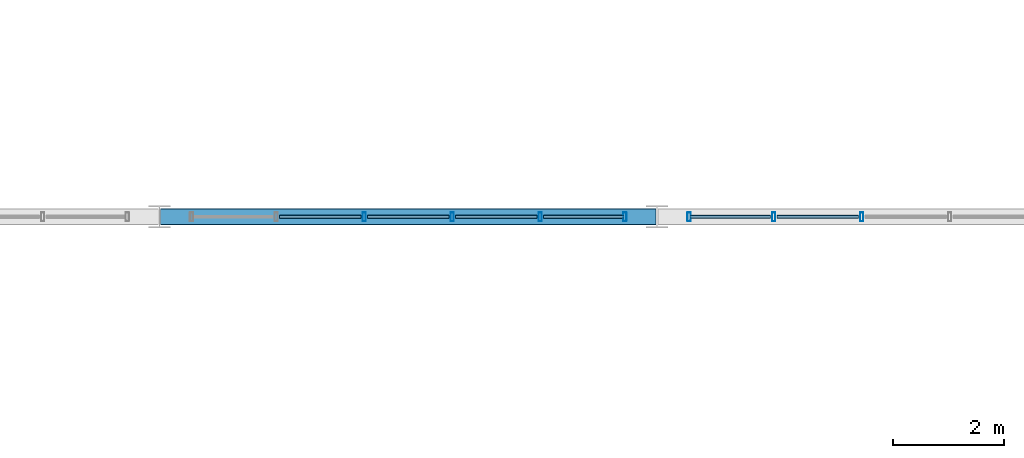
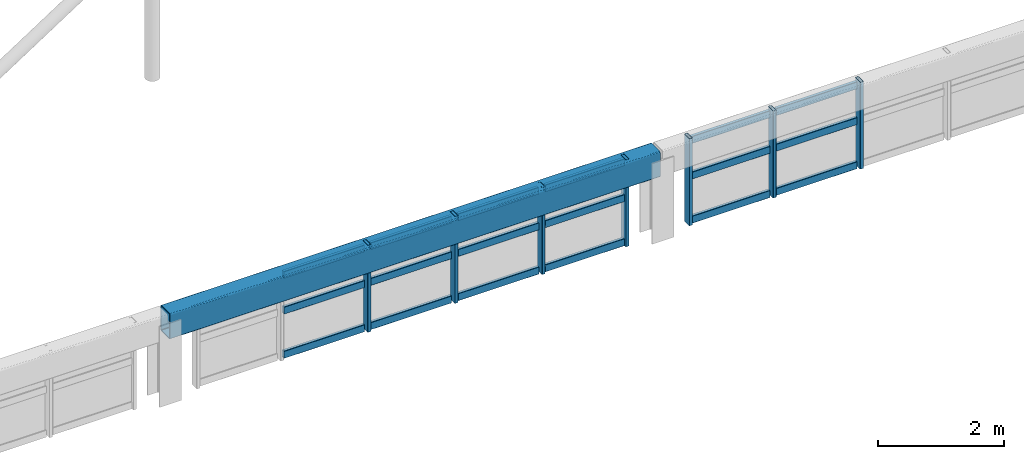
# One storey, part 15 of 128: 25 members, 1 beam, 2 elements without a shape of their own.
"""IFC4 building model written with IfcOpenShell, lengths in metres."""

from ifc_helpers import new_model, si_unit, derived_unit, direction, frame, origin, origin_2d, place, context, subcontext, project, spatial, hollow_rectangle, extrude, material, material_profile, profile_set, type_object, element, aggregate, save


model = new_model("IFC4")

# Units and contexts
model_context = context("Model", 3, precision=1e-05, world=origin(), true_north=direction((0.0, 1.0)))
body_context = subcontext(model_context, "Body", "Model", "MODEL_VIEW")
ifc_project = project(units=[si_unit("LENGTHUNIT", "METRE"), si_unit("AREAUNIT", "SQUARE_METRE"), si_unit("VOLUMEUNIT", "CUBIC_METRE"), si_unit("PLANEANGLEUNIT", "RADIAN"), si_unit("MASSUNIT", "GRAM", prefix="KILO"), derived_unit("THERMALTRANSMITTANCEUNIT", [(si_unit("MASSUNIT", "GRAM", prefix="KILO"), 1), (si_unit("TIMEUNIT", "SECOND"), -3), (si_unit("THERMODYNAMICTEMPERATUREUNIT", "KELVIN"), -1)])], contexts=[model_context])

# Site, building, storey
site_placement = place(None, origin())
site = spatial("IfcSite", under=ifc_project, at=site_placement, CompositionType="ELEMENT")
building_placement = place(site_placement, origin())
building = spatial("IfcBuilding", under=site, at=building_placement, Name="Zhenchuan Archway Interchange", CompositionType="ELEMENT")
storey_placement = place(building_placement, frame((0.0, 0.0, 14.39990234375)))
storey = spatial("IfcBuildingStorey", under=building, at=storey_placement, Name="L03", CompositionType="ELEMENT", Elevation=14.39990234375)

# Beam
ifc_material_1 = material(Name="Steel Q390", Category="steel")
ifc_material_profile_1 = material_profile(ifc_material_1, hollow_rectangle(XDim=0.300048828125, YDim=0.5, WallThickness=0.01611328125, InnerFilletRadius=0.01611328125, OuterFilletRadius=0.031982421875, at=origin_2d()), Name="RHS 500x300x16")
ifc_profile_set_1 = profile_set([ifc_material_profile_1], Name="Steel Q390")
beam_type = type_object("IfcBeamType", Name="BM_RING_RHS500", PredefinedType="BEAM", material=ifc_profile_set_1)
beam_placement = place(storey_placement, frame((36.02001953125, 24.0, 1.4501953125), z_axis=(1.0, 0.0, 0.0), x_axis=(0.0, 1.0, 0.0)))
element("IfcBeam", 1, at=beam_placement, inside=storey, type_object=beam_type, Name="CONCOURSE CABLE-NET RING BEAM S-2", PredefinedType="BEAM", context=body_context, shape_type="SweptSolid", body=[
    extrude(hollow_rectangle(XDim=0.300048828125, YDim=0.5, WallThickness=0.01611328125, InnerFilletRadius=0.01611328125, OuterFilletRadius=0.031982421875, at=origin_2d()), origin(), (0.0, 0.0, 1.0), 8.9599609375),
])

# Curtain wall, members
ifc_material_2 = material(Name="Anodised Aluminium", Category="aluminium")
curtain_wall_type = type_object("IfcCurtainWallType", Name="CW_UNIT_4", PredefinedType="NOTDEFINED", material=ifc_material_2)
curtain_wall_1_placement = place(storey_placement, origin())
curtain_wall_1 = element("IfcCurtainWall", 2, at=curtain_wall_1_placement, inside=storey, type_object=curtain_wall_type, Name="Unitised curtain wall CW:L03:RING-S2", PredefinedType="NOTDEFINED")
ifc_material_profile_2 = material_profile(ifc_material_2, hollow_rectangle(XDim=0.06005859375, YDim=0.159912109375, WallThickness=0.00390625, InnerFilletRadius=0.00390625, OuterFilletRadius=0.008056640625, at=origin_2d()), Name="ALU 160x60x4")
ifc_profile_set_2 = profile_set([ifc_material_profile_2], Name="Anodised Aluminium")
member_type_1 = type_object("IfcMemberType", Name="CW_MUL_150", PredefinedType="MULLION", material=ifc_profile_set_2)
member_1_placement = place(storey_placement, frame((39.7041015625, 24.0, 0.02001953125), z_axis=(0.0, 0.0, 1.0), x_axis=(1.0, 0.0, 0.0)))
member_1 = element("IfcMember", 3, at=member_1_placement, type_object=member_type_1, Name="CW:L03:RING-S2 mullion 2", PredefinedType="MULLION", context=body_context, shape_type="SweptSolid", body=[
    extrude(hollow_rectangle(XDim=0.06005859375, YDim=0.159912109375, WallThickness=0.00390625, InnerFilletRadius=0.00390625, OuterFilletRadius=0.008056640625, at=origin_2d()), origin(), (0.0, 0.0, 1.0), 1.68017578125),
])
member_2_placement = place(storey_placement, frame((41.2958984375, 24.0, 0.02001953125), z_axis=(0.0, 0.0, 1.0), x_axis=(1.0, 0.0, 0.0)))
member_2 = element("IfcMember", 4, at=member_2_placement, type_object=member_type_1, Name="CW:L03:RING-S2 mullion 3", PredefinedType="MULLION", context=body_context, shape_type="SweptSolid", body=[
    extrude(hollow_rectangle(XDim=0.06005859375, YDim=0.159912109375, WallThickness=0.00390625, InnerFilletRadius=0.00390625, OuterFilletRadius=0.008056640625, at=origin_2d()), origin(), (0.0, 0.0, 1.0), 1.68017578125),
])
member_3_placement = place(storey_placement, frame((42.887939453125, 24.0, 0.02001953125), z_axis=(0.0, 0.0, 1.0), x_axis=(1.0, 0.0, 0.0)))
member_3 = element("IfcMember", 5, at=member_3_placement, type_object=member_type_1, Name="CW:L03:RING-S2 mullion 4", PredefinedType="MULLION", context=body_context, shape_type="SweptSolid", body=[
    extrude(hollow_rectangle(XDim=0.06005859375, YDim=0.159912109375, WallThickness=0.00390625, InnerFilletRadius=0.00390625, OuterFilletRadius=0.008056640625, at=origin_2d()), origin(), (0.0, 0.0, 1.0), 1.68017578125),
])
member_4_placement = place(storey_placement, frame((44.419921875, 24.0, 0.02001953125), z_axis=(0.0, 0.0, 1.0), x_axis=(1.0, 0.0, 0.0)))
member_4 = element("IfcMember", 6, at=member_4_placement, type_object=member_type_1, Name="CW:L03:RING-S2 mullion 5", PredefinedType="MULLION", context=body_context, shape_type="SweptSolid", body=[
    extrude(hollow_rectangle(XDim=0.06005859375, YDim=0.159912109375, WallThickness=0.00390625, InnerFilletRadius=0.00390625, OuterFilletRadius=0.008056640625, at=origin_2d()), origin(), (0.0, 0.0, 1.0), 1.68017578125),
])

curtain_wall_2_placement = place(storey_placement, origin())
curtain_wall_2 = element("IfcCurtainWall", 7, at=curtain_wall_2_placement, inside=storey, type_object=curtain_wall_type, Name="Unitised curtain wall CW:L03:RING-S3", PredefinedType="NOTDEFINED")
member_5_placement = place(storey_placement, frame((45.580078125, 24.0, 0.02001953125), z_axis=(0.0, 0.0, 1.0), x_axis=(1.0, 0.0, 0.0)))
member_5 = element("IfcMember", 8, at=member_5_placement, type_object=member_type_1, Name="CW:L03:RING-S3 mullion 0", PredefinedType="MULLION", context=body_context, shape_type="SweptSolid", body=[
    extrude(hollow_rectangle(XDim=0.06005859375, YDim=0.159912109375, WallThickness=0.00390625, InnerFilletRadius=0.00390625, OuterFilletRadius=0.008056640625, at=origin_2d()), origin(), (0.0, 0.0, 1.0), 1.68017578125),
])
member_6_placement = place(storey_placement, frame((47.112060546875, 24.0, 0.02001953125), z_axis=(0.0, 0.0, 1.0), x_axis=(1.0, 0.0, 0.0)))
member_6 = element("IfcMember", 9, at=member_6_placement, type_object=member_type_1, Name="CW:L03:RING-S3 mullion 1", PredefinedType="MULLION", context=body_context, shape_type="SweptSolid", body=[
    extrude(hollow_rectangle(XDim=0.06005859375, YDim=0.159912109375, WallThickness=0.00390625, InnerFilletRadius=0.00390625, OuterFilletRadius=0.008056640625, at=origin_2d()), origin(), (0.0, 0.0, 1.0), 1.68017578125),
])
member_7_placement = place(storey_placement, frame((48.7041015625, 24.0, 0.02001953125), z_axis=(0.0, 0.0, 1.0), x_axis=(1.0, 0.0, 0.0)))
member_7 = element("IfcMember", 10, at=member_7_placement, type_object=member_type_1, Name="CW:L03:RING-S3 mullion 2", PredefinedType="MULLION", context=body_context, shape_type="SweptSolid", body=[
    extrude(hollow_rectangle(XDim=0.06005859375, YDim=0.159912109375, WallThickness=0.00390625, InnerFilletRadius=0.00390625, OuterFilletRadius=0.008056640625, at=origin_2d()), origin(), (0.0, 0.0, 1.0), 1.68017578125),
])

# Member
ifc_material_profile_3 = material_profile(ifc_material_2, hollow_rectangle(XDim=0.06005859375, YDim=0.139892578125, WallThickness=0.00341796875, InnerFilletRadius=0.00341796875, OuterFilletRadius=0.007080078125, at=origin_2d()), Name="ALU 140x60x3.5")
ifc_profile_set_3 = profile_set([ifc_material_profile_3], Name="Anodised Aluminium")
member_type_2 = type_object("IfcMemberType", Name="CW_TRN_140", PredefinedType="USERDEFINED", material=ifc_profile_set_3)
member_8_placement = place(storey_placement, frame((38.172119140625, 24.0, 0.080078125), z_axis=(1.0, 0.0, 0.0), x_axis=(0.0, 1.0, 0.0)))
member_8 = element("IfcMember", 11, at=member_8_placement, type_object=member_type_2, Name="CW:L03:RING-S2 transom 1-1", ObjectType="TRANSOM", PredefinedType="USERDEFINED", context=body_context, shape_type="SweptSolid", body=[
    extrude(hollow_rectangle(XDim=0.06005859375, YDim=0.139892578125, WallThickness=0.00341796875, InnerFilletRadius=0.00341796875, OuterFilletRadius=0.007080078125, at=origin_2d()), origin(), (0.0, 0.0, 1.0), 1.471923828125),
])

member_9_placement = place(storey_placement, frame((38.172119140625, 24.0, 0.93310546875), z_axis=(1.0, 0.0, 0.0), x_axis=(0.0, 1.0, 0.0)))
member_9 = element("IfcMember", 12, at=member_9_placement, type_object=member_type_2, Name="CW:L03:RING-S2 transom 1-2", ObjectType="TRANSOM", PredefinedType="USERDEFINED", context=body_context, shape_type="SweptSolid", body=[
    extrude(hollow_rectangle(XDim=0.06005859375, YDim=0.139892578125, WallThickness=0.00341796875, InnerFilletRadius=0.00341796875, OuterFilletRadius=0.007080078125, at=origin_2d()), origin(), (0.0, 0.0, 1.0), 1.471923828125),
])

member_10_placement = place(storey_placement, frame((38.172119140625, 24.0, 1.6201171875), z_axis=(1.0, 0.0, 0.0), x_axis=(0.0, 1.0, 0.0)))
member_10 = element("IfcMember", 13, at=member_10_placement, type_object=member_type_2, Name="CW:L03:RING-S2 transom 1-3", ObjectType="TRANSOM", PredefinedType="USERDEFINED", context=body_context, shape_type="SweptSolid", body=[
    extrude(hollow_rectangle(XDim=0.06005859375, YDim=0.139892578125, WallThickness=0.00341796875, InnerFilletRadius=0.00341796875, OuterFilletRadius=0.007080078125, at=origin_2d()), origin(), (0.0, 0.0, 1.0), 1.471923828125),
])

member_11_placement = place(storey_placement, frame((39.763916015625, 24.0, 0.080078125), z_axis=(1.0, 0.0, 0.0), x_axis=(0.0, 1.0, 0.0)))
member_11 = element("IfcMember", 14, at=member_11_placement, type_object=member_type_2, Name="CW:L03:RING-S2 transom 2-1", ObjectType="TRANSOM", PredefinedType="USERDEFINED", context=body_context, shape_type="SweptSolid", body=[
    extrude(hollow_rectangle(XDim=0.06005859375, YDim=0.139892578125, WallThickness=0.00341796875, InnerFilletRadius=0.00341796875, OuterFilletRadius=0.007080078125, at=origin_2d()), origin(), (0.0, 0.0, 1.0), 1.47216796875),
])

member_12_placement = place(storey_placement, frame((39.763916015625, 24.0, 0.93310546875), z_axis=(1.0, 0.0, 0.0), x_axis=(0.0, 1.0, 0.0)))
member_12 = element("IfcMember", 15, at=member_12_placement, type_object=member_type_2, Name="CW:L03:RING-S2 transom 2-2", ObjectType="TRANSOM", PredefinedType="USERDEFINED", context=body_context, shape_type="SweptSolid", body=[
    extrude(hollow_rectangle(XDim=0.06005859375, YDim=0.139892578125, WallThickness=0.00341796875, InnerFilletRadius=0.00341796875, OuterFilletRadius=0.007080078125, at=origin_2d()), origin(), (0.0, 0.0, 1.0), 1.47216796875),
])

member_13_placement = place(storey_placement, frame((39.763916015625, 24.0, 1.6201171875), z_axis=(1.0, 0.0, 0.0), x_axis=(0.0, 1.0, 0.0)))
member_13 = element("IfcMember", 16, at=member_13_placement, type_object=member_type_2, Name="CW:L03:RING-S2 transom 2-3", ObjectType="TRANSOM", PredefinedType="USERDEFINED", context=body_context, shape_type="SweptSolid", body=[
    extrude(hollow_rectangle(XDim=0.06005859375, YDim=0.139892578125, WallThickness=0.00341796875, InnerFilletRadius=0.00341796875, OuterFilletRadius=0.007080078125, at=origin_2d()), origin(), (0.0, 0.0, 1.0), 1.47216796875),
])

member_14_placement = place(storey_placement, frame((41.35595703125, 24.0, 0.080078125), z_axis=(1.0, 0.0, 0.0), x_axis=(0.0, 1.0, 0.0)))
member_14 = element("IfcMember", 17, at=member_14_placement, type_object=member_type_2, Name="CW:L03:RING-S2 transom 3-1", ObjectType="TRANSOM", PredefinedType="USERDEFINED", context=body_context, shape_type="SweptSolid", body=[
    extrude(hollow_rectangle(XDim=0.06005859375, YDim=0.139892578125, WallThickness=0.00341796875, InnerFilletRadius=0.00341796875, OuterFilletRadius=0.007080078125, at=origin_2d()), origin(), (0.0, 0.0, 1.0), 1.471923828125),
])

member_15_placement = place(storey_placement, frame((41.35595703125, 24.0, 0.93310546875), z_axis=(1.0, 0.0, 0.0), x_axis=(0.0, 1.0, 0.0)))
member_15 = element("IfcMember", 18, at=member_15_placement, type_object=member_type_2, Name="CW:L03:RING-S2 transom 3-2", ObjectType="TRANSOM", PredefinedType="USERDEFINED", context=body_context, shape_type="SweptSolid", body=[
    extrude(hollow_rectangle(XDim=0.06005859375, YDim=0.139892578125, WallThickness=0.00341796875, InnerFilletRadius=0.00341796875, OuterFilletRadius=0.007080078125, at=origin_2d()), origin(), (0.0, 0.0, 1.0), 1.471923828125),
])

member_16_placement = place(storey_placement, frame((41.35595703125, 24.0, 1.6201171875), z_axis=(1.0, 0.0, 0.0), x_axis=(0.0, 1.0, 0.0)))
member_16 = element("IfcMember", 19, at=member_16_placement, type_object=member_type_2, Name="CW:L03:RING-S2 transom 3-3", ObjectType="TRANSOM", PredefinedType="USERDEFINED", context=body_context, shape_type="SweptSolid", body=[
    extrude(hollow_rectangle(XDim=0.06005859375, YDim=0.139892578125, WallThickness=0.00341796875, InnerFilletRadius=0.00341796875, OuterFilletRadius=0.007080078125, at=origin_2d()), origin(), (0.0, 0.0, 1.0), 1.471923828125),
])

member_17_placement = place(storey_placement, frame((42.947998046875, 24.0, 0.080078125), z_axis=(1.0, 0.0, 0.0), x_axis=(0.0, 1.0, 0.0)))
member_17 = element("IfcMember", 20, at=member_17_placement, type_object=member_type_2, Name="CW:L03:RING-S2 transom 4-1", ObjectType="TRANSOM", PredefinedType="USERDEFINED", context=body_context, shape_type="SweptSolid", body=[
    extrude(hollow_rectangle(XDim=0.06005859375, YDim=0.139892578125, WallThickness=0.00341796875, InnerFilletRadius=0.00341796875, OuterFilletRadius=0.007080078125, at=origin_2d()), origin(), (0.0, 0.0, 1.0), 1.451904296875),
])

member_18_placement = place(storey_placement, frame((42.947998046875, 24.0, 0.93310546875), z_axis=(1.0, 0.0, 0.0), x_axis=(0.0, 1.0, 0.0)))
member_18 = element("IfcMember", 21, at=member_18_placement, type_object=member_type_2, Name="CW:L03:RING-S2 transom 4-2", ObjectType="TRANSOM", PredefinedType="USERDEFINED", context=body_context, shape_type="SweptSolid", body=[
    extrude(hollow_rectangle(XDim=0.06005859375, YDim=0.139892578125, WallThickness=0.00341796875, InnerFilletRadius=0.00341796875, OuterFilletRadius=0.007080078125, at=origin_2d()), origin(), (0.0, 0.0, 1.0), 1.451904296875),
])

member_19_placement = place(storey_placement, frame((42.947998046875, 24.0, 1.6201171875), z_axis=(1.0, 0.0, 0.0), x_axis=(0.0, 1.0, 0.0)))
member_19 = element("IfcMember", 22, at=member_19_placement, type_object=member_type_2, Name="CW:L03:RING-S2 transom 4-3", ObjectType="TRANSOM", PredefinedType="USERDEFINED", context=body_context, shape_type="SweptSolid", body=[
    extrude(hollow_rectangle(XDim=0.06005859375, YDim=0.139892578125, WallThickness=0.00341796875, InnerFilletRadius=0.00341796875, OuterFilletRadius=0.007080078125, at=origin_2d()), origin(), (0.0, 0.0, 1.0), 1.451904296875),
])

aggregate(curtain_wall_1, [member_1, member_2, member_3, member_4, member_8, member_9, member_10, member_11, member_12, member_13, member_14, member_15, member_16, member_17, member_18, member_19])

member_20_placement = place(storey_placement, frame((45.60009765625, 24.0, 0.080078125), z_axis=(1.0, 0.0, 0.0), x_axis=(0.0, 1.0, 0.0)))
member_20 = element("IfcMember", 23, at=member_20_placement, type_object=member_type_2, Name="CW:L03:RING-S3 transom 0-1", ObjectType="TRANSOM", PredefinedType="USERDEFINED", context=body_context, shape_type="SweptSolid", body=[
    extrude(hollow_rectangle(XDim=0.06005859375, YDim=0.139892578125, WallThickness=0.00341796875, InnerFilletRadius=0.00341796875, OuterFilletRadius=0.007080078125, at=origin_2d()), origin(), (0.0, 0.0, 1.0), 1.451904296875),
])

member_21_placement = place(storey_placement, frame((45.60009765625, 24.0, 0.93310546875), z_axis=(1.0, 0.0, 0.0), x_axis=(0.0, 1.0, 0.0)))
member_21 = element("IfcMember", 24, at=member_21_placement, type_object=member_type_2, Name="CW:L03:RING-S3 transom 0-2", ObjectType="TRANSOM", PredefinedType="USERDEFINED", context=body_context, shape_type="SweptSolid", body=[
    extrude(hollow_rectangle(XDim=0.06005859375, YDim=0.139892578125, WallThickness=0.00341796875, InnerFilletRadius=0.00341796875, OuterFilletRadius=0.007080078125, at=origin_2d()), origin(), (0.0, 0.0, 1.0), 1.451904296875),
])

member_22_placement = place(storey_placement, frame((45.60009765625, 24.0, 1.6201171875), z_axis=(1.0, 0.0, 0.0), x_axis=(0.0, 1.0, 0.0)))
member_22 = element("IfcMember", 25, at=member_22_placement, type_object=member_type_2, Name="CW:L03:RING-S3 transom 0-3", ObjectType="TRANSOM", PredefinedType="USERDEFINED", context=body_context, shape_type="SweptSolid", body=[
    extrude(hollow_rectangle(XDim=0.06005859375, YDim=0.139892578125, WallThickness=0.00341796875, InnerFilletRadius=0.00341796875, OuterFilletRadius=0.007080078125, at=origin_2d()), origin(), (0.0, 0.0, 1.0), 1.451904296875),
])

member_23_placement = place(storey_placement, frame((47.172119140625, 24.0, 0.080078125), z_axis=(1.0, 0.0, 0.0), x_axis=(0.0, 1.0, 0.0)))
member_23 = element("IfcMember", 26, at=member_23_placement, type_object=member_type_2, Name="CW:L03:RING-S3 transom 1-1", ObjectType="TRANSOM", PredefinedType="USERDEFINED", context=body_context, shape_type="SweptSolid", body=[
    extrude(hollow_rectangle(XDim=0.06005859375, YDim=0.139892578125, WallThickness=0.00341796875, InnerFilletRadius=0.00341796875, OuterFilletRadius=0.007080078125, at=origin_2d()), origin(), (0.0, 0.0, 1.0), 1.471923828125),
])

member_24_placement = place(storey_placement, frame((47.172119140625, 24.0, 0.93310546875), z_axis=(1.0, 0.0, 0.0), x_axis=(0.0, 1.0, 0.0)))
member_24 = element("IfcMember", 27, at=member_24_placement, type_object=member_type_2, Name="CW:L03:RING-S3 transom 1-2", ObjectType="TRANSOM", PredefinedType="USERDEFINED", context=body_context, shape_type="SweptSolid", body=[
    extrude(hollow_rectangle(XDim=0.06005859375, YDim=0.139892578125, WallThickness=0.00341796875, InnerFilletRadius=0.00341796875, OuterFilletRadius=0.007080078125, at=origin_2d()), origin(), (0.0, 0.0, 1.0), 1.471923828125),
])

member_25_placement = place(storey_placement, frame((47.172119140625, 24.0, 1.6201171875), z_axis=(1.0, 0.0, 0.0), x_axis=(0.0, 1.0, 0.0)))
member_25 = element("IfcMember", 28, at=member_25_placement, type_object=member_type_2, Name="CW:L03:RING-S3 transom 1-3", ObjectType="TRANSOM", PredefinedType="USERDEFINED", context=body_context, shape_type="SweptSolid", body=[
    extrude(hollow_rectangle(XDim=0.06005859375, YDim=0.139892578125, WallThickness=0.00341796875, InnerFilletRadius=0.00341796875, OuterFilletRadius=0.007080078125, at=origin_2d()), origin(), (0.0, 0.0, 1.0), 1.471923828125),
])

aggregate(curtain_wall_2, [member_5, member_6, member_7, member_20, member_21, member_22, member_23, member_24, member_25])

save(model, "model.ifc")
